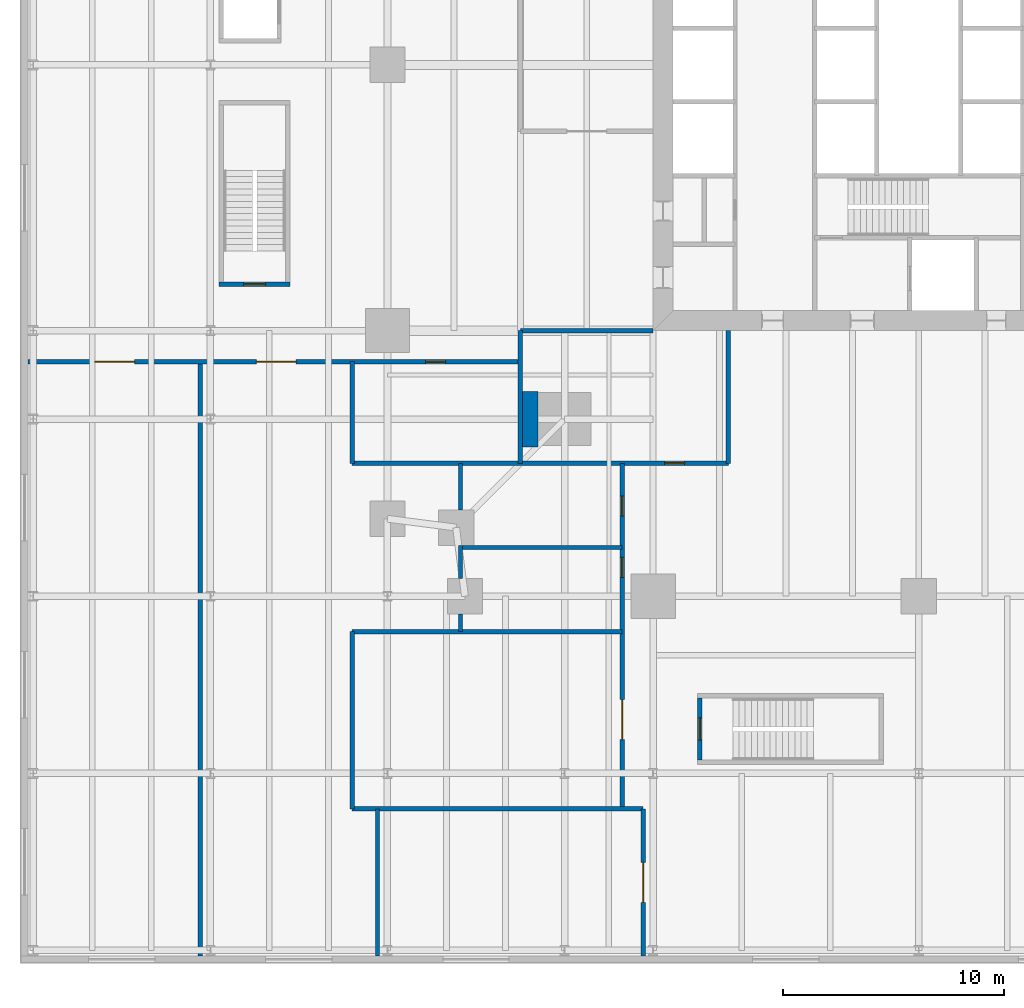
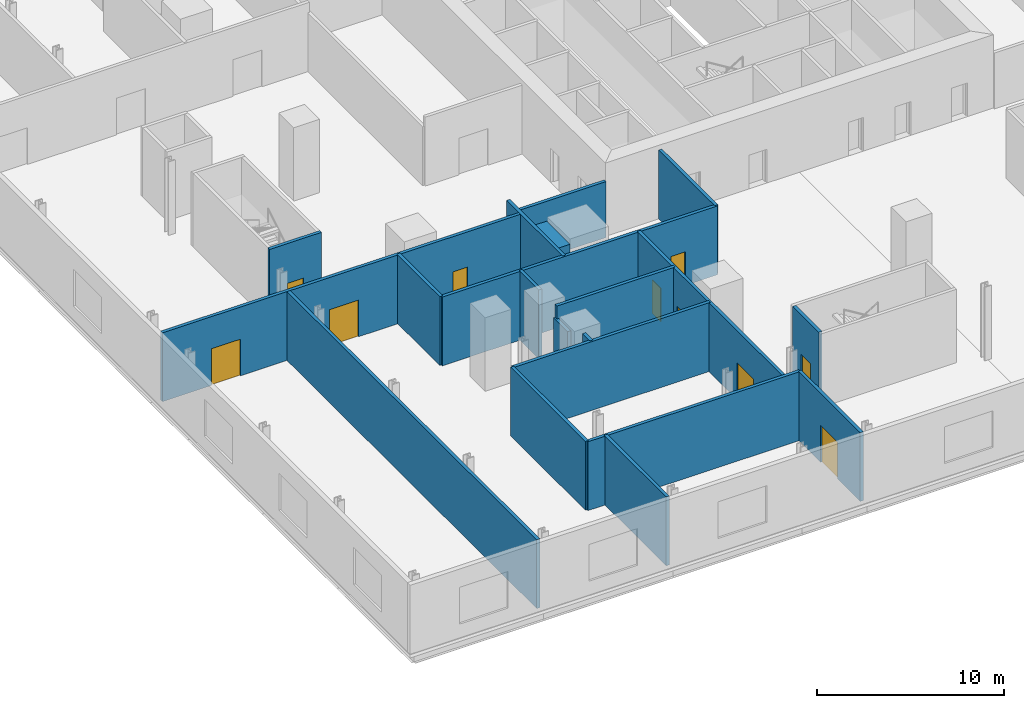
# One storey, part 8 of 16: 20 walls, 10 doors, 10 openings.
"""IFC4 building model written with IfcOpenShell, lengths in metres."""

from ifc_helpers import new_model, si_unit, direction, frame, frame_2d, origin, place, context, subcontext, project, spatial, rectangle, extrude, material, layer, layer_set, type_object, element, fill, save


model = new_model("IFC4")

# Units and contexts
model_context = context("Model", 3, precision=1e-05, world=origin(), true_north=direction((0.0, 1.0)))
body_context = subcontext(model_context, "Body", "Model", "MODEL_VIEW")
ifc_project = project(units=[si_unit("LENGTHUNIT", "METRE"), si_unit("AREAUNIT", "SQUARE_METRE"), si_unit("VOLUMEUNIT", "CUBIC_METRE"), si_unit("PLANEANGLEUNIT", "RADIAN"), si_unit("MASSUNIT", "GRAM", prefix="KILO")], contexts=[model_context])

# Site, building, storey
site_placement = place(None, origin())
site = spatial("IfcSite", under=ifc_project, at=site_placement, CompositionType="ELEMENT")
building_placement = place(site_placement, origin())
building = spatial("IfcBuilding", under=site, at=building_placement, Name="Fenwick Lantern Interchange", CompositionType="ELEMENT")
storey_placement = place(building_placement, frame((0.0, 0.0, 7.0)))
storey = spatial("IfcBuildingStorey", under=building, at=storey_placement, Name="L01", CompositionType="ELEMENT", Elevation=7.0)

# Walls
ifc_material_1 = material(Name="Fire-rated gypsum board encasement on steel studs, 2 hour", Category="steel")
ifc_layer_1 = layer(ifc_material_1, 2.5)
ifc_layer_set_1 = layer_set([ifc_layer_1], Name="COLUMN PIER 2500")
wall_type_1 = type_object("IfcWallType", Name="COLUMN PIER 2500", PredefinedType="PARTITIONING", material=ifc_layer_set_1)
wall_1_placement = place(storey_placement, frame((7.10009765625, 9.0, 0.0), z_axis=(0.0, 0.0, 1.0), x_axis=(1.0, 0.0, 0.0)))
element("IfcWall", 1, at=wall_1_placement, inside=storey, type_object=wall_type_1, Name="L01/W/PIER/M1", PredefinedType="PARTITIONING", context=body_context, shape_type="SweptSolid", body=[
    extrude(rectangle(XDim=0.699951171875, YDim=2.5, at=frame_2d((0.35009765625, 0.0))), origin(), (0.0, 0.0, 1.0), 4.5),
])
ifc_material_2 = material(Name="Gypsum board on steel studs, 1 hour", Category="steel")
ifc_layer_2 = layer(ifc_material_2, 0.199951171875)
ifc_layer_set_2 = layer_set([ifc_layer_2], Name="ROOM WALL 200")
wall_type_2 = type_object("IfcWallType", Name="ROOM WALL 200", PredefinedType="PARTITIONING", material=ifc_layer_set_2)
wall_2_placement = place(storey_placement, frame((-7.449951171875, -15.25, 0.0), z_axis=(0.0, 0.0, 1.0), x_axis=(0.0, 1.0, 0.0)))
element("IfcWall", 2, at=wall_2_placement, inside=storey, type_object=wall_type_2, Name="L01/W/POD/X-7.45-1", PredefinedType="PARTITIONING", context=body_context, shape_type="SweptSolid", body=[
    extrude(rectangle(XDim=26.85009765625, YDim=0.199951171875, at=frame_2d((13.425048828125, 0.0))), origin(), (0.0, 0.0, 1.0), 4.5),
])
wall_3_placement = place(storey_placement, frame((-0.60009765625, -8.60009765625, 0.0), z_axis=(0.0, 0.0, 1.0), x_axis=(0.0, 1.0, 0.0)))
element("IfcWall", 3, at=wall_3_placement, inside=storey, type_object=wall_type_2, Name="L01/W/POD/X-0.6-1", PredefinedType="PARTITIONING", context=body_context, shape_type="SweptSolid", body=[
    extrude(rectangle(XDim=8.0, YDim=0.199951171875, at=frame_2d((4.0, 0.0))), origin(), (0.0, 0.0, 1.0), 4.5),
])
wall_4_placement = place(storey_placement, frame((-0.60009765625, 7.0, 0.0), z_axis=(0.0, 0.0, 1.0), x_axis=(0.0, 1.0, 0.0)))
element("IfcWall", 4, at=wall_4_placement, inside=storey, type_object=wall_type_2, Name="L01/W/POD/X-0.6-2", PredefinedType="PARTITIONING", context=body_context, shape_type="SweptSolid", body=[
    extrude(rectangle(XDim=4.60009765625, YDim=0.199951171875, at=frame_2d((2.300048828125, 0.0))), origin(), (0.0, 0.0, 1.0), 4.5),
])
wall_5_placement = place(storey_placement, frame((0.550048828125, -15.25, 0.0), z_axis=(0.0, 0.0, 1.0), x_axis=(0.0, 1.0, 0.0)))
element("IfcWall", 5, at=wall_5_placement, inside=storey, type_object=wall_type_2, Name="L01/W/POD/X0.55-1", PredefinedType="PARTITIONING", context=body_context, shape_type="SweptSolid", body=[
    extrude(rectangle(XDim=6.64990234375, YDim=0.199951171875, at=frame_2d((3.324951171875, 0.0))), origin(), (0.0, 0.0, 1.0), 4.5),
])
wall_6_placement = place(storey_placement, frame((4.300048828125, -0.60009765625, 0.0), z_axis=(0.0, 0.0, 1.0), x_axis=(0.0, 1.0, 0.0)))
element("IfcWall", 6, at=wall_6_placement, inside=storey, type_object=wall_type_2, Name="L01/W/POD/X4.3-1", PredefinedType="PARTITIONING", context=body_context, shape_type="SweptSolid", body=[
    extrude(rectangle(XDim=0.800048828125, YDim=0.199951171875, at=frame_2d((0.39990234375, 0.0))), origin(), (0.0, 0.0, 1.0), 4.5),
])
wall_7_placement = place(storey_placement, frame((4.300048828125, 1.800048828125, 0.0), z_axis=(0.0, 0.0, 1.0), x_axis=(0.0, 1.0, 0.0)))
element("IfcWall", 7, at=wall_7_placement, inside=storey, type_object=wall_type_2, Name="L01/W/POD/X4.3-2", PredefinedType="PARTITIONING", context=body_context, shape_type="SweptSolid", body=[
    extrude(rectangle(XDim=1.5, YDim=0.199951171875, at=frame_2d((0.75, 0.0))), origin(), (0.0, 0.0, 1.0), 3.650146484375),
])
wall_8_placement = place(storey_placement, frame((4.300048828125, 4.89990234375, 0.0), z_axis=(0.0, 0.0, 1.0), x_axis=(0.0, 1.0, 0.0)))
element("IfcWall", 8, at=wall_8_placement, inside=storey, type_object=wall_type_2, Name="L01/W/POD/X4.3-3", PredefinedType="PARTITIONING", context=body_context, shape_type="SweptSolid", body=[
    extrude(rectangle(XDim=2.10009765625, YDim=0.199951171875, at=frame_2d((1.050048828125, 0.0))), origin(), (0.0, 0.0, 1.0), 4.5),
])
wall_9_placement = place(storey_placement, frame((7.0, 7.0, 0.0), z_axis=(0.0, 0.0, 1.0), x_axis=(0.0, 1.0, 0.0)))
element("IfcWall", 9, at=wall_9_placement, inside=storey, type_object=wall_type_2, Name="L01/W/POD/X7-1", PredefinedType="PARTITIONING", context=body_context, shape_type="SweptSolid", body=[
    extrude(rectangle(XDim=6.0, YDim=0.199951171875, at=frame_2d((3.0, 0.0))), origin(), (0.0, 0.0, 1.0), 4.5),
])

# Wall, openings, doors
wall_10_placement = place(storey_placement, frame((11.60009765625, -8.60009765625, 0.0), z_axis=(0.0, 0.0, 1.0), x_axis=(0.0, 1.0, 0.0)))
wall_10 = element("IfcWall", 10, at=wall_10_placement, inside=storey, type_object=wall_type_2, Name="L01/W/POD/X11.6-1", PredefinedType="PARTITIONING", context=body_context, shape_type="SweptSolid", body=[
    extrude(rectangle(XDim=15.60009765625, YDim=0.199951171875, at=frame_2d((7.800048828125, 0.0))), origin(), (0.0, 0.0, 1.0), 4.5),
])
opening_1_placement = place(wall_10_placement, frame((3.125, 0.0, 0.0)))
opening_1 = element("IfcOpeningElement", 11, at=opening_1_placement, cuts=wall_10, Name="Opening L01-D024", PredefinedType="OPENING", context=body_context, shape_type="SweptSolid", body=[
    extrude(rectangle(XDim=1.800048828125, YDim=2.39990234375, at=frame_2d((0.89990234375, 1.199951171875))), frame((0.0, 0.10986328125, 0.0), z_axis=(0.0, -1.0, 0.0), x_axis=(1.0, 0.0, 0.0)), (0.0, 0.0, 1.0), 0.219970703125),
])
opening_2_placement = place(wall_10_placement, frame((10.449951171875, 0.0, 0.0)))
opening_2 = element("IfcOpeningElement", 12, at=opening_2_placement, cuts=wall_10, Name="Opening L01-D025", PredefinedType="OPENING", context=body_context, shape_type="SweptSolid", body=[
    extrude(rectangle(XDim=0.89990234375, YDim=2.199951171875, at=frame_2d((0.449951171875, 1.10009765625))), frame((0.0, 0.10986328125, 0.0), z_axis=(0.0, -1.0, 0.0), x_axis=(1.0, 0.0, 0.0)), (0.0, 0.0, 1.0), 0.219970703125),
])
opening_3_placement = place(wall_10_placement, frame((13.22509765625, 0.0, 0.0)))
opening_3 = element("IfcOpeningElement", 13, at=opening_3_placement, cuts=wall_10, Name="Opening L01-D026", PredefinedType="OPENING", context=body_context, shape_type="SweptSolid", body=[
    extrude(rectangle(XDim=0.89990234375, YDim=2.199951171875, at=frame_2d((0.449951171875, 1.10009765625))), frame((0.0, 0.10986328125, 0.0), z_axis=(0.0, -1.0, 0.0), x_axis=(1.0, 0.0, 0.0)), (0.0, 0.0, 1.0), 0.219970703125),
])
ifc_material_3 = material(Name="Hardwood door and steel frame", Category="steel")
door_type_1 = type_object("IfcDoorType", Name="OFFICE DOOR 900 X 2200", OperationType="SINGLE_SWING_LEFT", PredefinedType="DOOR", material=ifc_material_3)
door_1_placement = place(opening_2_placement, origin())
door_1 = element("IfcDoor", 14, at=door_1_placement, inside=storey, type_object=door_type_1, Name="Office door", OperationType="SINGLE_SWING_RIGHT", OverallHeight=2.199951171875, OverallWidth=0.89990234375, PredefinedType="DOOR", context=body_context, shape_type="SweptSolid", body=[
    extrude(rectangle(XDim=0.89990234375, YDim=2.199951171875, at=frame_2d((0.449951171875, 1.10009765625))), frame((0.0, 0.02490234375, 0.0), z_axis=(0.0, -1.0, 0.0), x_axis=(1.0, 0.0, 0.0)), (0.0, 0.0, 1.0), 0.050048828125),
])
fill(opening_2, door_1)
door_2_placement = place(opening_3_placement, origin())
door_2 = element("IfcDoor", 15, at=door_2_placement, inside=storey, type_object=door_type_1, Name="Office door", OperationType="SINGLE_SWING_LEFT", OverallHeight=2.199951171875, OverallWidth=0.89990234375, PredefinedType="DOOR", context=body_context, shape_type="SweptSolid", body=[
    extrude(rectangle(XDim=0.89990234375, YDim=2.199951171875, at=frame_2d((0.449951171875, 1.10009765625))), frame((0.0, 0.02490234375, 0.0), z_axis=(0.0, -1.0, 0.0), x_axis=(1.0, 0.0, 0.0)), (0.0, 0.0, 1.0), 0.050048828125),
])
fill(opening_3, door_2)
ifc_material_4 = material(Name="Steel door and frame", Category="steel")
door_type_2 = type_object("IfcDoorType", Name="ROOM DOOR PAIR 1800 X 2400", OperationType="DOUBLE_DOOR_SINGLE_SWING", PredefinedType="DOOR", material=ifc_material_4)
door_3_placement = place(opening_1_placement, frame((1.800048828125, 0.0, 0.0), z_axis=(0.0, 0.0, 1.0), x_axis=(-1.0, 0.0, 0.0)))
door_3 = element("IfcDoor", 16, at=door_3_placement, inside=storey, type_object=door_type_2, Name="Room door pair", OperationType="DOUBLE_DOOR_SINGLE_SWING", OverallHeight=2.39990234375, OverallWidth=1.800048828125, PredefinedType="DOOR", context=body_context, shape_type="SweptSolid", body=[
    extrude(rectangle(XDim=1.800048828125, YDim=2.39990234375, at=frame_2d((0.89990234375, 1.199951171875))), frame((0.0, 0.02490234375, 0.0), z_axis=(0.0, -1.0, 0.0), x_axis=(1.0, 0.0, 0.0)), (0.0, 0.0, 1.0), 0.050048828125),
])
fill(opening_1, door_3)

# Wall, opening, door
wall_11_placement = place(storey_placement, frame((12.550048828125, -15.25, 0.0), z_axis=(0.0, 0.0, 1.0), x_axis=(0.0, 1.0, 0.0)))
wall_11 = element("IfcWall", 17, at=wall_11_placement, inside=storey, type_object=wall_type_2, Name="L01/W/POD/X12.55-1", PredefinedType="PARTITIONING", context=body_context, shape_type="SweptSolid", body=[
    extrude(rectangle(XDim=6.64990234375, YDim=0.199951171875, at=frame_2d((3.324951171875, 0.0))), origin(), (0.0, 0.0, 1.0), 4.5),
])
opening_4_placement = place(wall_11_placement, frame((2.425048828125, 0.0, 0.0)))
opening_4 = element("IfcOpeningElement", 18, at=opening_4_placement, cuts=wall_11, Name="Opening L01-D023", PredefinedType="OPENING", context=body_context, shape_type="SweptSolid", body=[
    extrude(rectangle(XDim=1.800048828125, YDim=2.39990234375, at=frame_2d((0.89990234375, 1.199951171875))), frame((0.0, 0.10986328125, 0.0), z_axis=(0.0, -1.0, 0.0), x_axis=(1.0, 0.0, 0.0)), (0.0, 0.0, 1.0), 0.219970703125),
])
door_4_placement = place(opening_4_placement, frame((1.800048828125, 0.0, 0.0), z_axis=(0.0, 0.0, 1.0), x_axis=(-1.0, 0.0, 0.0)))
door_4 = element("IfcDoor", 19, at=door_4_placement, inside=storey, type_object=door_type_2, Name="Room door pair", OperationType="DOUBLE_DOOR_SINGLE_SWING", OverallHeight=2.39990234375, OverallWidth=1.800048828125, PredefinedType="DOOR", context=body_context, shape_type="SweptSolid", body=[
    extrude(rectangle(XDim=1.800048828125, YDim=2.39990234375, at=frame_2d((0.89990234375, 1.199951171875))), frame((0.0, 0.02490234375, 0.0), z_axis=(0.0, -1.0, 0.0), x_axis=(1.0, 0.0, 0.0)), (0.0, 0.0, 1.0), 0.050048828125),
])
fill(opening_4, door_4)

# Walls
wall_12_placement = place(storey_placement, frame((16.39990234375, 7.0, 0.0), z_axis=(0.0, 0.0, 1.0), x_axis=(0.0, 1.0, 0.0)))
element("IfcWall", 20, at=wall_12_placement, inside=storey, type_object=wall_type_2, Name="L01/W/POD/X16.4-1", PredefinedType="PARTITIONING", context=body_context, shape_type="SweptSolid", body=[
    extrude(rectangle(XDim=6.0, YDim=0.199951171875, at=frame_2d((3.0, 0.0))), origin(), (0.0, 0.0, 1.0), 4.5),
])
wall_13_placement = place(storey_placement, frame((-0.60009765625, -8.60009765625, 0.0), z_axis=(0.0, 0.0, 1.0), x_axis=(1.0, 0.0, 0.0)))
element("IfcWall", 21, at=wall_13_placement, inside=storey, type_object=wall_type_2, Name="L01/W/POD/Y-8.6-1", PredefinedType="PARTITIONING", context=body_context, shape_type="SweptSolid", body=[
    extrude(rectangle(XDim=13.150146484375, YDim=0.199951171875, at=frame_2d((6.5751953125, 0.0))), origin(), (0.0, 0.0, 1.0), 4.5),
])
wall_14_placement = place(storey_placement, frame((-0.60009765625, -0.60009765625, 0.0), z_axis=(0.0, 0.0, 1.0), x_axis=(1.0, 0.0, 0.0)))
element("IfcWall", 22, at=wall_14_placement, inside=storey, type_object=wall_type_2, Name="L01/W/POD/Y-0.6-1", PredefinedType="PARTITIONING", context=body_context, shape_type="SweptSolid", body=[
    extrude(rectangle(XDim=12.2001953125, YDim=0.199951171875, at=frame_2d((6.10009765625, 0.0))), origin(), (0.0, 0.0, 1.0), 4.5),
])
wall_15_placement = place(storey_placement, frame((4.300048828125, 3.199951171875, 0.0), z_axis=(0.0, 0.0, 1.0), x_axis=(1.0, 0.0, 0.0)))
element("IfcWall", 23, at=wall_15_placement, inside=storey, type_object=wall_type_2, Name="L01/W/POD/Y3.2-1", PredefinedType="PARTITIONING", context=body_context, shape_type="SweptSolid", body=[
    extrude(rectangle(XDim=7.300048828125, YDim=0.199951171875, at=frame_2d((3.64990234375, 0.0))), origin(), (0.0, 0.0, 1.0), 4.5),
])

# Wall, opening, door
wall_16_placement = place(storey_placement, frame((-0.60009765625, 7.0, 0.0), z_axis=(0.0, 0.0, 1.0), x_axis=(1.0, 0.0, 0.0)))
wall_16 = element("IfcWall", 24, at=wall_16_placement, inside=storey, type_object=wall_type_2, Name="L01/W/POD/Y7-1", PredefinedType="PARTITIONING", context=body_context, shape_type="SweptSolid", body=[
    extrude(rectangle(XDim=17.0, YDim=0.199951171875, at=frame_2d((8.5, 0.0))), origin(), (0.0, 0.0, 1.0), 4.5),
])
opening_5_placement = place(wall_16_placement, frame((14.125, 0.0, 0.0)))
opening_5 = element("IfcOpeningElement", 25, at=opening_5_placement, cuts=wall_16, Name="Opening L01-D051", PredefinedType="OPENING", context=body_context, shape_type="SweptSolid", body=[
    extrude(rectangle(XDim=0.89990234375, YDim=2.199951171875, at=frame_2d((0.449951171875, 1.10009765625))), frame((0.0, 0.10986328125, 0.0), z_axis=(0.0, -1.0, 0.0), x_axis=(1.0, 0.0, 0.0)), (0.0, 0.0, 1.0), 0.219970703125),
])
door_5_placement = place(opening_5_placement, origin())
door_5 = element("IfcDoor", 26, at=door_5_placement, inside=storey, type_object=door_type_1, Name="Office door", OperationType="SINGLE_SWING_RIGHT", OverallHeight=2.199951171875, OverallWidth=0.89990234375, PredefinedType="DOOR", context=body_context, shape_type="SweptSolid", body=[
    extrude(rectangle(XDim=0.89990234375, YDim=2.199951171875, at=frame_2d((0.449951171875, 1.10009765625))), frame((0.0, 0.02490234375, 0.0), z_axis=(0.0, -1.0, 0.0), x_axis=(1.0, 0.0, 0.0)), (0.0, 0.0, 1.0), 0.050048828125),
])
fill(opening_5, door_5)

# Wall, openings, doors
wall_17_placement = place(storey_placement, frame((-15.25, 11.60009765625, 0.0), z_axis=(0.0, 0.0, 1.0), x_axis=(1.0, 0.0, 0.0)))
wall_17 = element("IfcWall", 27, at=wall_17_placement, inside=storey, type_object=wall_type_2, Name="L01/W/POD/Y11.6-1", PredefinedType="PARTITIONING", context=body_context, shape_type="SweptSolid", body=[
    extrude(rectangle(XDim=22.25, YDim=0.199951171875, at=frame_2d((11.125, 0.0))), origin(), (0.0, 0.0, 1.0), 4.5),
])
opening_6_placement = place(wall_17_placement, frame((10.324951171875, 0.0, 0.0)))
opening_6 = element("IfcOpeningElement", 28, at=opening_6_placement, cuts=wall_17, Name="Opening L01-D027", PredefinedType="OPENING", context=body_context, shape_type="SweptSolid", body=[
    extrude(rectangle(XDim=1.800048828125, YDim=2.39990234375, at=frame_2d((0.89990234375, 1.199951171875))), frame((0.0, 0.10986328125, 0.0), z_axis=(0.0, -1.0, 0.0), x_axis=(1.0, 0.0, 0.0)), (0.0, 0.0, 1.0), 0.219970703125),
])
opening_7_placement = place(wall_17_placement, frame((3.02490234375, 0.0, 0.0)))
opening_7 = element("IfcOpeningElement", 29, at=opening_7_placement, cuts=wall_17, Name="Opening L01-D028", PredefinedType="OPENING", context=body_context, shape_type="SweptSolid", body=[
    extrude(rectangle(XDim=1.800048828125, YDim=2.39990234375, at=frame_2d((0.89990234375, 1.199951171875))), frame((0.0, 0.10986328125, 0.0), z_axis=(0.0, -1.0, 0.0), x_axis=(1.0, 0.0, 0.0)), (0.0, 0.0, 1.0), 0.219970703125),
])
opening_8_placement = place(wall_17_placement, frame((17.97509765625, 0.0, 0.0)))
opening_8 = element("IfcOpeningElement", 30, at=opening_8_placement, cuts=wall_17, Name="Opening L01-D029", PredefinedType="OPENING", context=body_context, shape_type="SweptSolid", body=[
    extrude(rectangle(XDim=0.89990234375, YDim=2.199951171875, at=frame_2d((0.449951171875, 1.10009765625))), frame((0.0, 0.10986328125, 0.0), z_axis=(0.0, -1.0, 0.0), x_axis=(1.0, 0.0, 0.0)), (0.0, 0.0, 1.0), 0.219970703125),
])
door_6_placement = place(opening_8_placement, frame((0.89990234375, 0.0, 0.0), z_axis=(0.0, 0.0, 1.0), x_axis=(-1.0, 0.0, 0.0)))
door_6 = element("IfcDoor", 31, at=door_6_placement, inside=storey, type_object=door_type_1, Name="Office door", OperationType="SINGLE_SWING_RIGHT", OverallHeight=2.199951171875, OverallWidth=0.89990234375, PredefinedType="DOOR", context=body_context, shape_type="SweptSolid", body=[
    extrude(rectangle(XDim=0.89990234375, YDim=2.199951171875, at=frame_2d((0.449951171875, 1.10009765625))), frame((0.0, 0.02490234375, 0.0), z_axis=(0.0, -1.0, 0.0), x_axis=(1.0, 0.0, 0.0)), (0.0, 0.0, 1.0), 0.050048828125),
])
fill(opening_8, door_6)
door_7_placement = place(opening_6_placement, origin())
door_7 = element("IfcDoor", 32, at=door_7_placement, inside=storey, type_object=door_type_2, Name="Room door pair", OperationType="DOUBLE_DOOR_SINGLE_SWING", OverallHeight=2.39990234375, OverallWidth=1.800048828125, PredefinedType="DOOR", context=body_context, shape_type="SweptSolid", body=[
    extrude(rectangle(XDim=1.800048828125, YDim=2.39990234375, at=frame_2d((0.89990234375, 1.199951171875))), frame((0.0, 0.02490234375, 0.0), z_axis=(0.0, -1.0, 0.0), x_axis=(1.0, 0.0, 0.0)), (0.0, 0.0, 1.0), 0.050048828125),
])
fill(opening_6, door_7)
door_8_placement = place(opening_7_placement, origin())
door_8 = element("IfcDoor", 33, at=door_8_placement, inside=storey, type_object=door_type_2, Name="Room door pair", OperationType="DOUBLE_DOOR_SINGLE_SWING", OverallHeight=2.39990234375, OverallWidth=1.800048828125, PredefinedType="DOOR", context=body_context, shape_type="SweptSolid", body=[
    extrude(rectangle(XDim=1.800048828125, YDim=2.39990234375, at=frame_2d((0.89990234375, 1.199951171875))), frame((0.0, 0.02490234375, 0.0), z_axis=(0.0, -1.0, 0.0), x_axis=(1.0, 0.0, 0.0)), (0.0, 0.0, 1.0), 0.050048828125),
])
fill(opening_7, door_8)

# Wall
wall_18_placement = place(storey_placement, frame((7.0, 13.0, 0.0), z_axis=(0.0, 0.0, 1.0), x_axis=(1.0, 0.0, 0.0)))
element("IfcWall", 34, at=wall_18_placement, inside=storey, type_object=wall_type_2, Name="L01/W/POD/Y13-1", PredefinedType="PARTITIONING", context=body_context, shape_type="SweptSolid", body=[
    extrude(rectangle(XDim=6.0, YDim=0.199951171875, at=frame_2d((3.0, 0.0))), origin(), (0.0, 0.0, 1.0), 3.652587890625),
])

# Wall, opening, door
ifc_material_5 = material(Name="Reinforced concrete masonry ASTM C90 Grade N", Category="masonry")
ifc_layer_3 = layer(ifc_material_5, 0.199951171875)
ifc_layer_set_3 = layer_set([ifc_layer_3], Name="Reinforced concrete masonry ASTM C90 Grade N")
wall_type_3 = type_object("IfcWallType", Name="STAIR ENCLOSURE 200", PredefinedType="SOLIDWALL", material=ifc_layer_set_3)
wall_19_placement = place(storey_placement, frame((15.10009765625, -3.60009765625, 0.0), z_axis=(0.0, 0.0, 1.0), x_axis=(0.0, -1.0, 0.0)))
wall_19 = element("IfcWall", 35, at=wall_19_placement, inside=storey, type_object=wall_type_3, Name="L01/W/PS2/W", PredefinedType="SOLIDWALL", context=body_context, shape_type="SweptSolid", body=[
    extrude(rectangle(XDim=2.7998046875, YDim=0.199951171875, at=frame_2d((1.39990234375, 0.0))), origin(), (0.0, 0.0, 1.0), 4.800048828125),
])
opening_9_placement = place(wall_19_placement, frame((0.89990234375, 0.0, 0.0)))
opening_9 = element("IfcOpeningElement", 36, at=opening_9_placement, cuts=wall_19, Name="Opening L01-D020", PredefinedType="OPENING", context=body_context, shape_type="SweptSolid", body=[
    extrude(rectangle(XDim=1.0, YDim=2.199951171875, at=frame_2d((0.5, 1.10009765625))), frame((0.0, 0.10986328125, 0.0), z_axis=(0.0, -1.0, 0.0), x_axis=(1.0, 0.0, 0.0)), (0.0, 0.0, 1.0), 0.219970703125),
])
door_type_3 = type_object("IfcDoorType", Name="STAIR DOOR 1000 X 2200", OperationType="SINGLE_SWING_LEFT", PredefinedType="DOOR", material=ifc_material_4)
door_9_placement = place(opening_9_placement, origin())
door_9 = element("IfcDoor", 37, at=door_9_placement, inside=storey, type_object=door_type_3, Name="Stair door", OperationType="SINGLE_SWING_LEFT", OverallHeight=2.199951171875, OverallWidth=1.0, PredefinedType="DOOR", context=body_context, shape_type="SweptSolid", body=[
    extrude(rectangle(XDim=1.0, YDim=2.199951171875, at=frame_2d((0.5, 1.10009765625))), frame((0.0, 0.02490234375, 0.0), z_axis=(0.0, -1.0, 0.0), x_axis=(1.0, 0.0, 0.0)), (0.0, 0.0, 1.0), 0.050048828125),
])
fill(opening_9, door_9)

wall_20_placement = place(storey_placement, frame((-6.60009765625, 15.10009765625, 0.0), z_axis=(0.0, 0.0, 1.0), x_axis=(1.0, 0.0, 0.0)))
wall_20 = element("IfcWall", 38, at=wall_20_placement, inside=storey, type_object=wall_type_3, Name="L01/W/PS3/S", PredefinedType="SOLIDWALL", context=body_context, shape_type="SweptSolid", body=[
    extrude(rectangle(XDim=3.2001953125, YDim=0.199951171875, at=frame_2d((1.60009765625, 0.0))), origin(), (0.0, 0.0, 1.0), 4.800048828125),
])
opening_10_placement = place(wall_20_placement, frame((1.10009765625, 0.0, 0.0)))
opening_10 = element("IfcOpeningElement", 39, at=opening_10_placement, cuts=wall_20, Name="Opening L01-D021", PredefinedType="OPENING", context=body_context, shape_type="SweptSolid", body=[
    extrude(rectangle(XDim=1.0, YDim=2.199951171875, at=frame_2d((0.5, 1.10009765625))), frame((0.0, 0.10986328125, 0.0), z_axis=(0.0, -1.0, 0.0), x_axis=(1.0, 0.0, 0.0)), (0.0, 0.0, 1.0), 0.219970703125),
])
door_10_placement = place(opening_10_placement, origin())
door_10 = element("IfcDoor", 40, at=door_10_placement, inside=storey, type_object=door_type_3, Name="Stair door", OperationType="SINGLE_SWING_LEFT", OverallHeight=2.199951171875, OverallWidth=1.0, PredefinedType="DOOR", context=body_context, shape_type="SweptSolid", body=[
    extrude(rectangle(XDim=1.0, YDim=2.199951171875, at=frame_2d((0.5, 1.10009765625))), frame((0.0, 0.02490234375, 0.0), z_axis=(0.0, -1.0, 0.0), x_axis=(1.0, 0.0, 0.0)), (0.0, 0.0, 1.0), 0.050048828125),
])
fill(opening_10, door_10)

save(model, "model.ifc")
